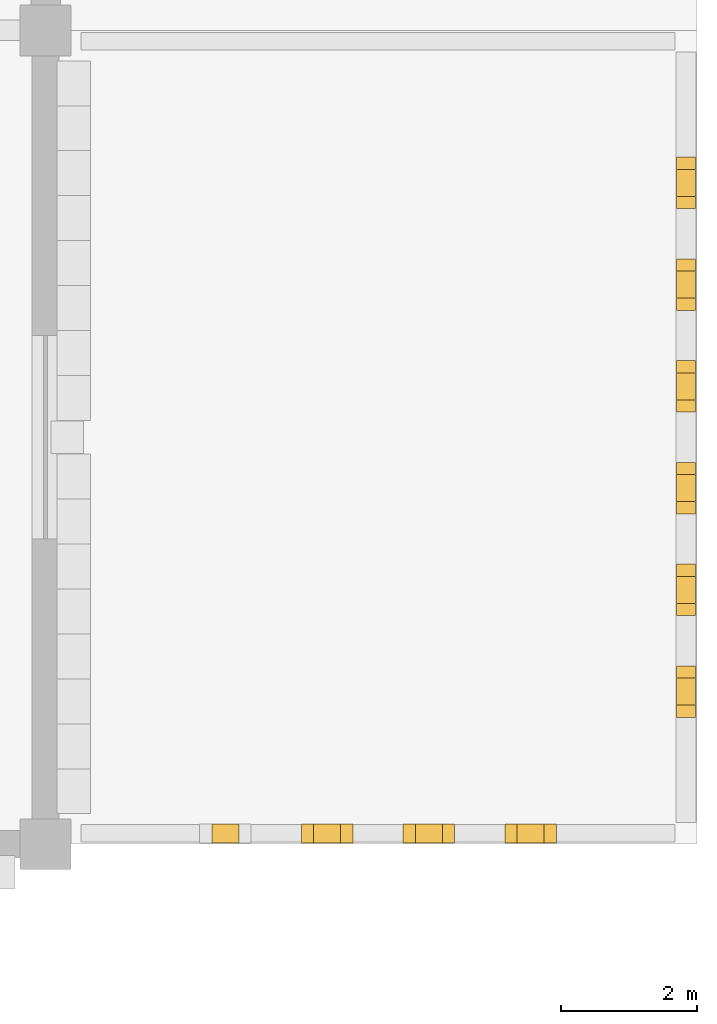
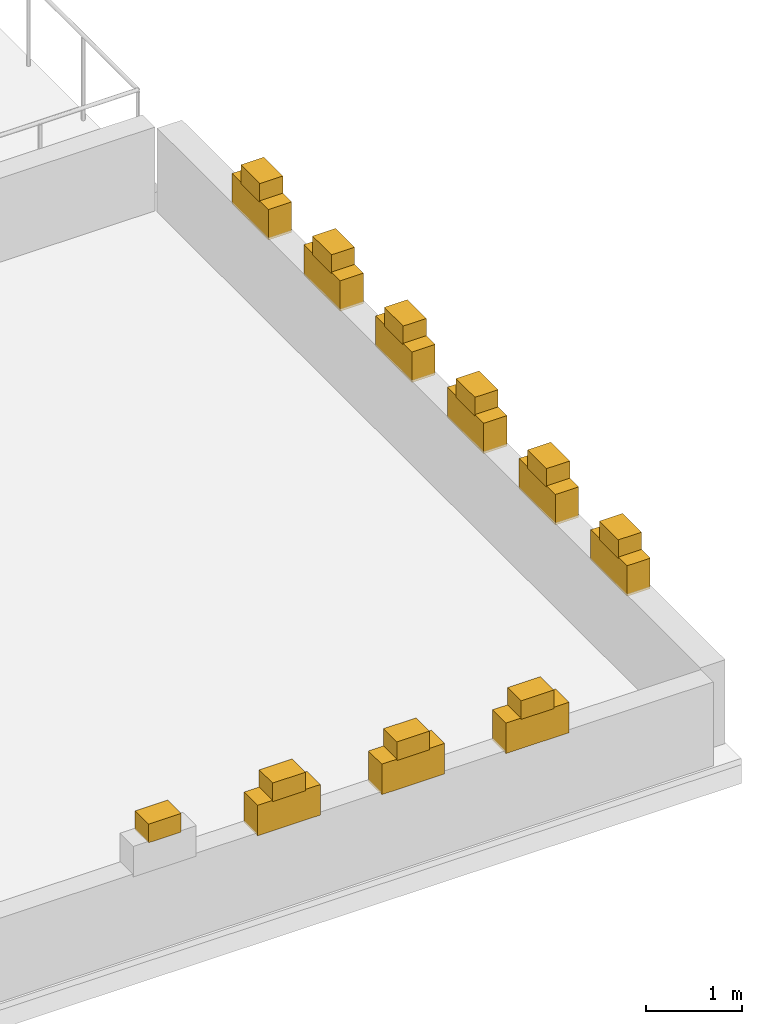
# One storey, part 103 of 103: 19 coverings.
"""IFC4 building model written with IfcOpenShell, lengths in metres."""

from ifc_helpers import new_model, si_unit, direction, frame, origin, place, context, subcontext, project, spatial, polyline, outline, extrude, material, layer, layer_set, type_object, element, save


model = new_model("IFC4")

# Units and contexts
model_context = context("Model", 3, precision=1e-05, world=origin(), true_north=direction((0.0, 1.0)))
body_context = subcontext(model_context, "Body", "Model", "MODEL_VIEW")
ifc_project = project(units=[si_unit("LENGTHUNIT", "METRE"), si_unit("AREAUNIT", "SQUARE_METRE"), si_unit("VOLUMEUNIT", "CUBIC_METRE"), si_unit("PLANEANGLEUNIT", "RADIAN"), si_unit("MASSUNIT", "GRAM", prefix="KILO")], contexts=[model_context])

# Site, building, storey
site_placement = place(None, origin())
site = spatial("IfcSite", under=ifc_project, at=site_placement, CompositionType="ELEMENT")
building_placement = place(site_placement, origin())
building = spatial("IfcBuilding", under=site, at=building_placement, Name="Zlatogorsky Bluff Art Gallery", CompositionType="ELEMENT")
storey_placement = place(building_placement, origin())
storey = spatial("IfcBuildingStorey", under=building, at=storey_placement, Name="L00", CompositionType="ELEMENT", Elevation=0.0)

# Coverings
ifc_material = material(Name="Honed Red Agra-Tone Quartzitic Sandstone", Category="masonry")
ifc_layer = layer(ifc_material, 0.1201171875)
ifc_layer_set = layer_set([ifc_layer], Name="Carved Sandstone Cladding CLD-02")
covering_type = type_object("IfcCoveringType", Name="Carved Sandstone Cladding CLD-02", PredefinedType="CLADDING", material=ifc_layer_set)
covering_1_placement = place(storey_placement, frame((0.0, 0.0, 1.4921875)))
element("IfcCovering", 1, at=covering_1_placement, inside=storey, type_object=covering_type, Name="Kangura pointed merlon finial PAR-RF-L00-01-1.1", PredefinedType="CLADDING", context=body_context, shape_type="SweptSolid", body=[
    extrude(outline(polyline([(169.25244140625, 26.419921875), (169.647705078125, 26.419921875), (169.647705078125, 26.699951171875), (169.25244140625, 26.699951171875), (169.25244140625, 26.419921875)])), origin(), (0.0, 0.0, 1.0), 0.23779296875),
])
covering_2_placement = place(storey_placement, frame((0.0, 0.0, 1.1201171875)))
element("IfcCovering", 2, at=covering_2_placement, inside=storey, type_object=covering_type, Name="Kangura stepped merlon base PAR-RF-L00-01-1.2", PredefinedType="CLADDING", context=body_context, shape_type="SweptSolid", body=[
    extrude(outline(polyline([(170.570068359375, 26.419921875), (171.330078125, 26.419921875), (171.330078125, 26.699951171875), (170.570068359375, 26.699951171875), (170.570068359375, 26.419921875)])), origin(), (0.0, 0.0, 1.0), 0.389404296875),
])
covering_3_placement = place(storey_placement, frame((0.0, 0.0, 1.4921875)))
element("IfcCovering", 3, at=covering_3_placement, inside=storey, type_object=covering_type, Name="Kangura pointed merlon finial PAR-RF-L00-01-1.2", PredefinedType="CLADDING", context=body_context, shape_type="SweptSolid", body=[
    extrude(outline(polyline([(170.75244140625, 26.419921875), (171.147705078125, 26.419921875), (171.147705078125, 26.699951171875), (170.75244140625, 26.699951171875), (170.75244140625, 26.419921875)])), origin(), (0.0, 0.0, 1.0), 0.23779296875),
])
covering_4_placement = place(storey_placement, frame((0.0, 0.0, 1.1201171875)))
element("IfcCovering", 4, at=covering_4_placement, inside=storey, type_object=covering_type, Name="Kangura stepped merlon base PAR-RF-L00-01-1.3", PredefinedType="CLADDING", context=body_context, shape_type="SweptSolid", body=[
    extrude(outline(polyline([(172.070068359375, 26.419921875), (172.830078125, 26.419921875), (172.830078125, 26.699951171875), (172.070068359375, 26.699951171875), (172.070068359375, 26.419921875)])), origin(), (0.0, 0.0, 1.0), 0.389404296875),
])
covering_5_placement = place(storey_placement, frame((0.0, 0.0, 1.4921875)))
element("IfcCovering", 5, at=covering_5_placement, inside=storey, type_object=covering_type, Name="Kangura pointed merlon finial PAR-RF-L00-01-1.3", PredefinedType="CLADDING", context=body_context, shape_type="SweptSolid", body=[
    extrude(outline(polyline([(172.25244140625, 26.419921875), (172.647705078125, 26.419921875), (172.647705078125, 26.699951171875), (172.25244140625, 26.699951171875), (172.25244140625, 26.419921875)])), origin(), (0.0, 0.0, 1.0), 0.23779296875),
])
covering_6_placement = place(storey_placement, frame((0.0, 0.0, 1.1201171875)))
element("IfcCovering", 6, at=covering_6_placement, inside=storey, type_object=covering_type, Name="Kangura stepped merlon base PAR-RF-L00-01-1.4", PredefinedType="CLADDING", context=body_context, shape_type="SweptSolid", body=[
    extrude(outline(polyline([(173.570068359375, 26.419921875), (174.330078125, 26.419921875), (174.330078125, 26.699951171875), (173.570068359375, 26.699951171875), (173.570068359375, 26.419921875)])), origin(), (0.0, 0.0, 1.0), 0.389404296875),
])
covering_7_placement = place(storey_placement, frame((0.0, 0.0, 1.4921875)))
element("IfcCovering", 7, at=covering_7_placement, inside=storey, type_object=covering_type, Name="Kangura pointed merlon finial PAR-RF-L00-01-1.4", PredefinedType="CLADDING", context=body_context, shape_type="SweptSolid", body=[
    extrude(outline(polyline([(173.75244140625, 26.419921875), (174.147705078125, 26.419921875), (174.147705078125, 26.699951171875), (173.75244140625, 26.699951171875), (173.75244140625, 26.419921875)])), origin(), (0.0, 0.0, 1.0), 0.23779296875),
])
covering_8_placement = place(storey_placement, frame((0.0, 0.0, 1.1201171875)))
element("IfcCovering", 8, at=covering_8_placement, inside=storey, type_object=covering_type, Name="Kangura stepped merlon base PAR-RF-L00-01-4.1", PredefinedType="CLADDING", context=body_context, shape_type="SweptSolid", body=[
    extrude(outline(polyline([(176.10009765625, 28.27001953125), (176.10009765625, 29.030029296875), (176.3798828125, 29.030029296875), (176.3798828125, 28.27001953125), (176.10009765625, 28.27001953125)])), origin(), (0.0, 0.0, 1.0), 0.389404296875),
])
covering_9_placement = place(storey_placement, frame((0.0, 0.0, 1.4921875)))
element("IfcCovering", 9, at=covering_9_placement, inside=storey, type_object=covering_type, Name="Kangura pointed merlon finial PAR-RF-L00-01-4.1", PredefinedType="CLADDING", context=body_context, shape_type="SweptSolid", body=[
    extrude(outline(polyline([(176.10009765625, 28.452392578125), (176.10009765625, 28.84765625), (176.3798828125, 28.84765625), (176.3798828125, 28.452392578125), (176.10009765625, 28.452392578125)])), origin(), (0.0, 0.0, 1.0), 0.23779296875),
])
covering_10_placement = place(storey_placement, frame((0.0, 0.0, 1.1201171875)))
element("IfcCovering", 10, at=covering_10_placement, inside=storey, type_object=covering_type, Name="Kangura stepped merlon base PAR-RF-L00-01-4.2", PredefinedType="CLADDING", context=body_context, shape_type="SweptSolid", body=[
    extrude(outline(polyline([(176.10009765625, 29.77001953125), (176.10009765625, 30.530029296875), (176.3798828125, 30.530029296875), (176.3798828125, 29.77001953125), (176.10009765625, 29.77001953125)])), origin(), (0.0, 0.0, 1.0), 0.389404296875),
])
covering_11_placement = place(storey_placement, frame((0.0, 0.0, 1.4921875)))
element("IfcCovering", 11, at=covering_11_placement, inside=storey, type_object=covering_type, Name="Kangura pointed merlon finial PAR-RF-L00-01-4.2", PredefinedType="CLADDING", context=body_context, shape_type="SweptSolid", body=[
    extrude(outline(polyline([(176.10009765625, 29.952392578125), (176.10009765625, 30.34765625), (176.3798828125, 30.34765625), (176.3798828125, 29.952392578125), (176.10009765625, 29.952392578125)])), origin(), (0.0, 0.0, 1.0), 0.23779296875),
])
covering_12_placement = place(storey_placement, frame((0.0, 0.0, 1.1201171875)))
element("IfcCovering", 12, at=covering_12_placement, inside=storey, type_object=covering_type, Name="Kangura stepped merlon base PAR-RF-L00-01-4.3", PredefinedType="CLADDING", context=body_context, shape_type="SweptSolid", body=[
    extrude(outline(polyline([(176.10009765625, 31.27001953125), (176.10009765625, 32.030029296875), (176.3798828125, 32.030029296875), (176.3798828125, 31.27001953125), (176.10009765625, 31.27001953125)])), origin(), (0.0, 0.0, 1.0), 0.389404296875),
])
covering_13_placement = place(storey_placement, frame((0.0, 0.0, 1.4921875)))
element("IfcCovering", 13, at=covering_13_placement, inside=storey, type_object=covering_type, Name="Kangura pointed merlon finial PAR-RF-L00-01-4.3", PredefinedType="CLADDING", context=body_context, shape_type="SweptSolid", body=[
    extrude(outline(polyline([(176.10009765625, 31.452392578125), (176.10009765625, 31.84765625), (176.3798828125, 31.84765625), (176.3798828125, 31.452392578125), (176.10009765625, 31.452392578125)])), origin(), (0.0, 0.0, 1.0), 0.23779296875),
])
covering_14_placement = place(storey_placement, frame((0.0, 0.0, 1.1201171875)))
element("IfcCovering", 14, at=covering_14_placement, inside=storey, type_object=covering_type, Name="Kangura stepped merlon base PAR-RF-L00-01-4.4", PredefinedType="CLADDING", context=body_context, shape_type="SweptSolid", body=[
    extrude(outline(polyline([(176.10009765625, 32.77001953125), (176.10009765625, 33.530029296875), (176.3798828125, 33.530029296875), (176.3798828125, 32.77001953125), (176.10009765625, 32.77001953125)])), origin(), (0.0, 0.0, 1.0), 0.389404296875),
])
covering_15_placement = place(storey_placement, frame((0.0, 0.0, 1.4921875)))
element("IfcCovering", 15, at=covering_15_placement, inside=storey, type_object=covering_type, Name="Kangura pointed merlon finial PAR-RF-L00-01-4.4", PredefinedType="CLADDING", context=body_context, shape_type="SweptSolid", body=[
    extrude(outline(polyline([(176.10009765625, 32.952392578125), (176.10009765625, 33.34765625), (176.3798828125, 33.34765625), (176.3798828125, 32.952392578125), (176.10009765625, 32.952392578125)])), origin(), (0.0, 0.0, 1.0), 0.23779296875),
])
covering_16_placement = place(storey_placement, frame((0.0, 0.0, 1.1201171875)))
element("IfcCovering", 16, at=covering_16_placement, inside=storey, type_object=covering_type, Name="Kangura stepped merlon base PAR-RF-L00-01-4.5", PredefinedType="CLADDING", context=body_context, shape_type="SweptSolid", body=[
    extrude(outline(polyline([(176.10009765625, 34.27001953125), (176.10009765625, 35.030029296875), (176.3798828125, 35.030029296875), (176.3798828125, 34.27001953125), (176.10009765625, 34.27001953125)])), origin(), (0.0, 0.0, 1.0), 0.389404296875),
])
covering_17_placement = place(storey_placement, frame((0.0, 0.0, 1.4921875)))
element("IfcCovering", 17, at=covering_17_placement, inside=storey, type_object=covering_type, Name="Kangura pointed merlon finial PAR-RF-L00-01-4.5", PredefinedType="CLADDING", context=body_context, shape_type="SweptSolid", body=[
    extrude(outline(polyline([(176.10009765625, 34.452392578125), (176.10009765625, 34.84765625), (176.3798828125, 34.84765625), (176.3798828125, 34.452392578125), (176.10009765625, 34.452392578125)])), origin(), (0.0, 0.0, 1.0), 0.23779296875),
])
covering_18_placement = place(storey_placement, frame((0.0, 0.0, 1.1201171875)))
element("IfcCovering", 18, at=covering_18_placement, inside=storey, type_object=covering_type, Name="Kangura stepped merlon base PAR-RF-L00-01-4.6", PredefinedType="CLADDING", context=body_context, shape_type="SweptSolid", body=[
    extrude(outline(polyline([(176.10009765625, 35.77001953125), (176.10009765625, 36.530029296875), (176.3798828125, 36.530029296875), (176.3798828125, 35.77001953125), (176.10009765625, 35.77001953125)])), origin(), (0.0, 0.0, 1.0), 0.389404296875),
])
covering_19_placement = place(storey_placement, frame((0.0, 0.0, 1.4921875)))
element("IfcCovering", 19, at=covering_19_placement, inside=storey, type_object=covering_type, Name="Kangura pointed merlon finial PAR-RF-L00-01-4.6", PredefinedType="CLADDING", context=body_context, shape_type="SweptSolid", body=[
    extrude(outline(polyline([(176.10009765625, 35.952392578125), (176.10009765625, 36.34765625), (176.3798828125, 36.34765625), (176.3798828125, 35.952392578125), (176.10009765625, 35.952392578125)])), origin(), (0.0, 0.0, 1.0), 0.23779296875),
])

save(model, "model.ifc")
